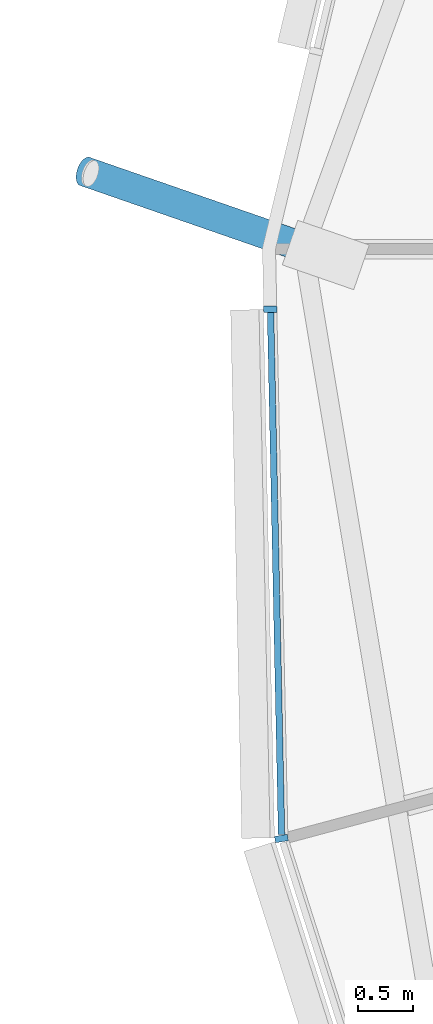
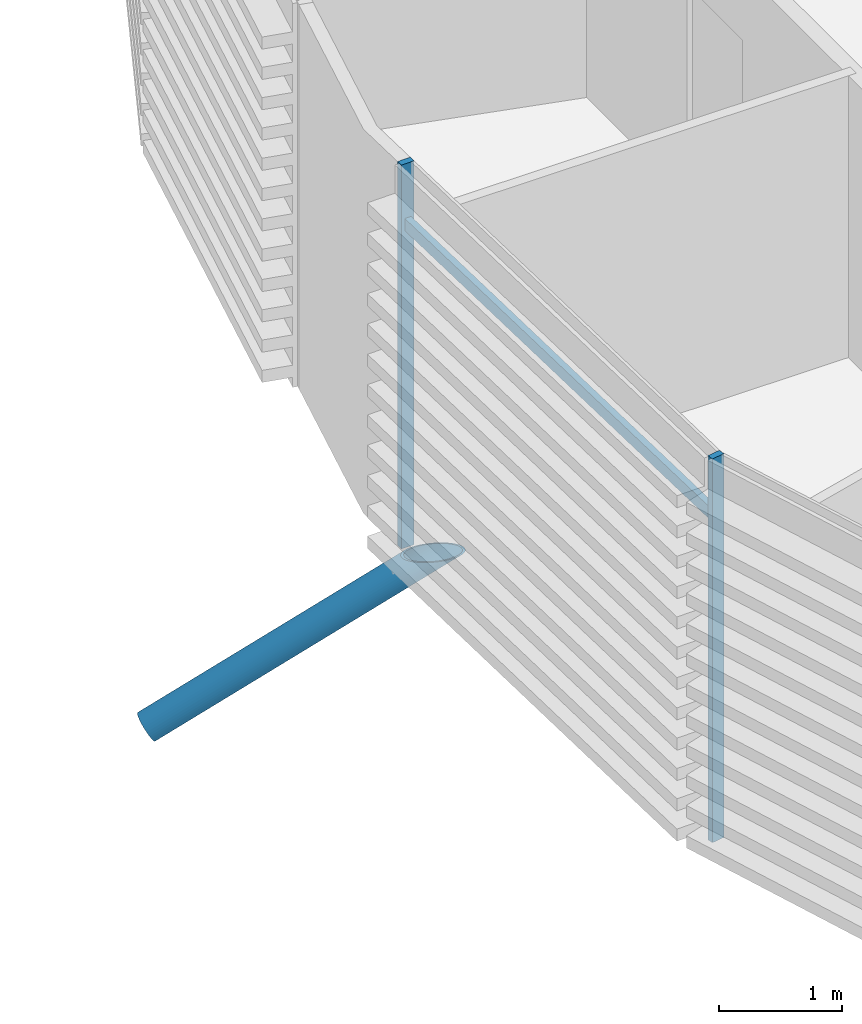
# One storey, part 8 of 35: 4 members, 1 element without a shape of its own.
"""IFC4 building model written with IfcOpenShell, lengths in metres."""

from ifc_helpers import new_model, si_unit, direction, frame, origin, origin_2d, place, context, subcontext, project, spatial, rectangle, hollow_circle, extrude, clip, halfspace, material, material_profile, profile_set, type_object, element, aggregate, save


model = new_model("IFC4")

# Units and contexts
model_context = context("Model", 3, precision=1e-05, world=origin(), true_north=direction((0.0, 1.0)))
body_context = subcontext(model_context, "Body", "Model", "MODEL_VIEW")
ifc_project = project(units=[si_unit("LENGTHUNIT", "METRE"), si_unit("AREAUNIT", "SQUARE_METRE"), si_unit("VOLUMEUNIT", "CUBIC_METRE"), si_unit("PLANEANGLEUNIT", "RADIAN"), si_unit("MASSUNIT", "GRAM", prefix="KILO")], contexts=[model_context])

# Site, building, storey
site_placement = place(None, origin())
site = spatial("IfcSite", under=ifc_project, at=site_placement, CompositionType="ELEMENT")
building_placement = place(site_placement, origin())
building = spatial("IfcBuilding", under=site, at=building_placement, Name="Rimbun Link Towers", CompositionType="ELEMENT")
storey_placement = place(building_placement, frame((0.0, 0.0, 196.89990234375)))
storey = spatial("IfcBuildingStorey", under=building, at=storey_placement, Name="L48", CompositionType="ELEMENT", Elevation=196.89990234375)

# Curtain wall, members
ifc_material_1 = material(Name="Aluminium 6063-T6 and low-iron glass", Category="aluminium")
curtain_wall_type = type_object("IfcCurtainWallType", Name="CW1-Z3 unitised vision wall (zone 3)", PredefinedType="NOTDEFINED", material=ifc_material_1)
curtain_wall_placement = place(storey_placement, origin())
curtain_wall = element("IfcCurtainWall", 1, at=curtain_wall_placement, inside=storey, type_object=curtain_wall_type, Name="CW1 L48 T2", PredefinedType="NOTDEFINED")
ifc_material_2 = material(Name="Aluminium 6063-T6", Category="aluminium")
ifc_material_profile_1 = material_profile(ifc_material_2, rectangle(XDim=0.1201171875, YDim=0.06005859375, at=origin_2d()), Name="MULLION 60X120")
ifc_profile_set_1 = profile_set([ifc_material_profile_1], Name="Aluminium 6063-T6")
member_type_1 = type_object("IfcMemberType", Name="CW1 mullion 60X120", PredefinedType="MULLION", material=ifc_profile_set_1)
member_1_placement = place(storey_placement, frame((11.5693359375, -5.4013671875, 0.0), z_axis=(0.0, 0.0, 1.0), x_axis=(-0.9865019168, -0.16374971191, 0.0)))
member_1 = element("IfcMember", 2, at=member_1_placement, type_object=member_type_1, Name="CW1 mullion", PredefinedType="MULLION", context=body_context, shape_type="SweptSolid", body=[
    extrude(rectangle(XDim=0.1201171875, YDim=0.06005859375, at=origin_2d()), origin(), (0.0, 0.0, 1.0), 3.800048828125),
])
member_2_placement = place(storey_placement, frame((11.466552734375, -0.551025390625, 0.0), z_axis=(0.0, 0.0, 1.0), x_axis=(-0.999778097154, -0.021065527565, 0.0)))
member_2 = element("IfcMember", 3, at=member_2_placement, type_object=member_type_1, Name="CW1 mullion", PredefinedType="MULLION", context=body_context, shape_type="SweptSolid", body=[
    extrude(rectangle(XDim=0.1201171875, YDim=0.06005859375, at=origin_2d()), origin(), (0.0, 0.0, 1.0), 3.800048828125),
])
ifc_material_3 = material(Name="Aluminium 6063-T6", Category="aluminium")
ifc_material_profile_2 = material_profile(ifc_material_3, rectangle(XDim=0.06005859375, YDim=0.1201171875, at=origin_2d()), Name="TRANSOM 60X120")
ifc_profile_set_2 = profile_set([ifc_material_profile_2], Name="Aluminium 6063-T6")
member_type_2 = type_object("IfcMemberType", Name="CW1 transom 60X120", PredefinedType="USERDEFINED", material=ifc_profile_set_2)
member_3_placement = place(storey_placement, frame((11.56982421875, -5.36279296875, 3.2001953125), z_axis=(-0.021030781038, 0.999778828666, 0.0), x_axis=(-0.999778828666, -0.021030781038, 0.0)))
member_3 = element("IfcMember", 4, at=member_3_placement, type_object=member_type_2, Name="CW1 transom", ObjectType="TRANSOM", PredefinedType="USERDEFINED", context=body_context, shape_type="SweptSolid", body=[
    extrude(rectangle(XDim=0.06005859375, YDim=0.1201171875, at=origin_2d()), origin(), (0.0, 0.0, 1.0), 4.78271484375),
])
aggregate(curtain_wall, [member_1, member_2, member_3])

# Member
ifc_material_4 = material(Name="Steel S355J2H", Category="steel")
ifc_material_profile_3 = material_profile(ifc_material_4, hollow_circle(Radius=0.136474609375, WallThickness=0.012451171875, at=origin_2d()), Name="CHS 273x12.5")
ifc_profile_set_3 = profile_set([ifc_material_profile_3], Name="Steel S355J2H")
member_type_3 = type_object("IfcMemberType", Name="Floor edge link CHS 273x12.5", PredefinedType="BRACE", material=ifc_profile_set_3)
member_4_placement = place(storey_placement, frame((11.822021484375, 0.0, -0.673095703125), z_axis=(-0.811268995078, 0.281442968472, -0.512476802522), x_axis=(-0.32775430059, -0.944762995912, 0.0)))
element("IfcMember", 5, at=member_4_placement, inside=storey, type_object=member_type_3, Name="Floor edge link T2 L48 09", PredefinedType="BRACE", context=body_context, shape_type="Clipping", body=[
    clip(extrude(hollow_circle(Radius=0.136474609375, WallThickness=0.012451171875, at=origin_2d()), frame((0.0, 0.0, -0.476806640625)), (0.0, 0.0, 1.0), 3.009765625), halfspace(frame((0.0, 0.0, -0.223876953125), z_axis=(0.0, 0.858701069568, -0.512476802522)), False)),
])

save(model, "model.ifc")
